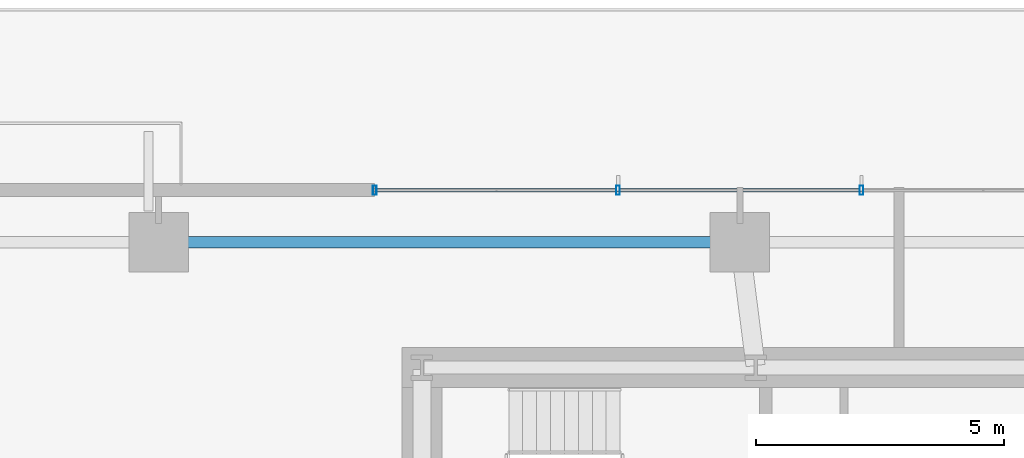
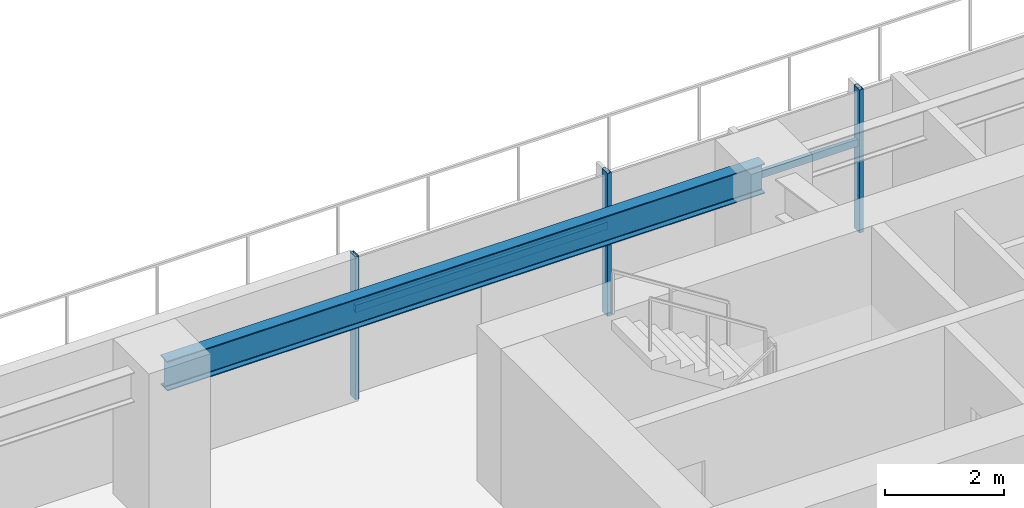
# One storey, part 10 of 26: 5 members, 1 beam, 1 element without a shape of its own.
"""IFC4 building model written with IfcOpenShell, lengths in metres."""

from ifc_helpers import new_model, si_unit, direction, frame, origin, origin_2d, place, context, subcontext, project, spatial, hollow_rectangle, i_section, extrude, source, transform, mapped, material, material_profile, profile_set, type_object, type_shapes, element, aggregate, save


model = new_model("IFC4")

# Units and contexts
model_context = context("Model", 3, precision=1e-05, world=origin(), true_north=direction((0.0, 1.0)))
body_context = subcontext(model_context, "Body", "Model", "MODEL_VIEW")
ifc_project = project(units=[si_unit("LENGTHUNIT", "METRE"), si_unit("AREAUNIT", "SQUARE_METRE"), si_unit("VOLUMEUNIT", "CUBIC_METRE"), si_unit("PLANEANGLEUNIT", "RADIAN"), si_unit("MASSUNIT", "GRAM", prefix="KILO")], contexts=[model_context])

# Site, building, storey
site_placement = place(None, origin())
site = spatial("IfcSite", under=ifc_project, at=site_placement, CompositionType="ELEMENT")
building_placement = place(site_placement, origin())
building = spatial("IfcBuilding", under=site, at=building_placement, Name="Astriad Promenade Condominiums", CompositionType="ELEMENT")
storey_placement = place(building_placement, frame((0.0, 0.0, 23.0)))
storey = spatial("IfcBuildingStorey", under=building, at=storey_placement, Name="L05", CompositionType="ELEMENT", Elevation=23.0)

# Beam
ifc_material_1 = material(Name="Steel ASTM A992 Grade 50", Category="steel")
ifc_material_profile_1 = material_profile(ifc_material_1, i_section(OverallWidth=0.22900390625, OverallDepth=0.612060546875, WebThickness=0.011962890625, FlangeThickness=0.01953125, FilletRadius=0.017822265625, at=origin_2d()), Name="W24X84")
ifc_profile_set_1 = profile_set([ifc_material_profile_1], Name="Steel ASTM A992 Grade 50")
beam_type = type_object("IfcBeamType", Name="STEEL SPANDREL BEAM W24X84", PredefinedType="SPANDREL", material=ifc_profile_set_1)
shared_shape_1 = source(origin(), body_context, "Body", "SweptSolid", [
    extrude(i_section(OverallWidth=0.22900390625, OverallDepth=0.612060546875, WebThickness=0.011962890625, FlangeThickness=0.01953125, FilletRadius=0.017822265625, at=origin_2d()), origin(), (0.0, 0.0, 1.0), 11.6201171875),
])
type_shapes(beam_type, [shared_shape_1])
beam_placement = place(storey_placement, frame((32.760009765625, 26.52001953125, 2.634033203125), z_axis=(-1.0, 0.0, 0.0), x_axis=(0.0, -1.0, 0.0)))
element("IfcBeam", 1, at=beam_placement, inside=storey, type_object=beam_type, Name="Perimeter Spandrel Beam SP-N2-L05", PredefinedType="SPANDREL", context=body_context, shape_type="MappedRepresentation", body=[
    mapped(shared_shape_1, transform((0.0, 0.0, 0.0), scale=1.0)),
])

# Curtain wall, members
ifc_material_2 = material(Name="Anodised aluminium Black Dark Glass Unitised", Category="aluminium")
curtain_wall_type = type_object("IfcCurtainWallType", Name="CW-B1-DARK", PredefinedType="USERDEFINED", material=ifc_material_2)
curtain_wall_placement = place(storey_placement, origin())
curtain_wall = element("IfcCurtainWall", 2, at=curtain_wall_placement, inside=storey, type_object=curtain_wall_type, Name="CW-L05-N", ObjectType="UNITISED_CURTAIN_WALL", PredefinedType="USERDEFINED")
ifc_material_3 = material(Name="Anodised aluminium 6063-T6 Black", Category="aluminium")
ifc_material_profile_2 = material_profile(ifc_material_3, hollow_rectangle(XDim=0.074951171875, YDim=0.18505859375, WallThickness=0.00439453125, at=origin_2d()), Name="ALU-MUL-75X185")
ifc_profile_set_2 = profile_set([ifc_material_profile_2], Name="Anodised aluminium 6063-T6 Black")
member_type_1 = type_object("IfcMemberType", Name="MUL-ALU-MUL-75X185", PredefinedType="MULLION", material=ifc_profile_set_2)
shared_shape_2 = source(origin(), body_context, "Body", "SweptSolid", [
    extrude(hollow_rectangle(XDim=0.074951171875, YDim=0.18505859375, WallThickness=0.00439453125, at=origin_2d()), origin(), (0.0, 0.0, 1.0), 2.93994140625),
])
type_shapes(member_type_1, [shared_shape_2])
member_1_placement = place(storey_placement, frame((25.449951171875, 27.570068359375, 0.0), z_axis=(0.0, 0.0, 1.0), x_axis=(1.0, 0.0, 0.0)))
member_1 = element("IfcMember", 3, at=member_1_placement, type_object=member_type_1, Name="CW-L05-N-MUL-00", PredefinedType="MULLION", context=body_context, shape_type="MappedRepresentation", body=[
    mapped(shared_shape_2, transform((0.0, 0.0, 0.0), scale=1.0)),
])
member_2_placement = place(storey_placement, frame((30.35009765625, 27.570068359375, 0.0), z_axis=(0.0, 0.0, 1.0), x_axis=(1.0, 0.0, 0.0)))
member_2 = element("IfcMember", 4, at=member_2_placement, type_object=member_type_1, Name="CW-L05-N-MUL-01", PredefinedType="MULLION", context=body_context, shape_type="MappedRepresentation", body=[
    mapped(shared_shape_2, transform((0.0, 0.0, 0.0), scale=1.0)),
])
member_3_placement = place(storey_placement, frame((35.25, 27.570068359375, 0.0), z_axis=(0.0, 0.0, 1.0), x_axis=(1.0, 0.0, 0.0)))
member_3 = element("IfcMember", 5, at=member_3_placement, type_object=member_type_1, Name="CW-L05-N-MUL-02", PredefinedType="MULLION", context=body_context, shape_type="MappedRepresentation", body=[
    mapped(shared_shape_2, transform((0.0, 0.0, 0.0), scale=1.0)),
])
ifc_material_profile_3 = material_profile(ifc_material_3, hollow_rectangle(XDim=0.074951171875, YDim=0.14990234375, WallThickness=0.004150390625, at=origin_2d()), Name="ALU-TRN-75X150")
ifc_profile_set_3 = profile_set([ifc_material_profile_3], Name="Anodised aluminium 6063-T6 Black")
member_type_2 = type_object("IfcMemberType", Name="TRN-ALU-TRN-75X150", PredefinedType="USERDEFINED", material=ifc_profile_set_3)
shared_shape_3 = source(origin(), body_context, "Body", "SweptSolid", [
    extrude(hollow_rectangle(XDim=0.074951171875, YDim=0.14990234375, WallThickness=0.004150390625, at=origin_2d()), origin(), (0.0, 0.0, 1.0), 4.900146484375),
])
member_4_placement = place(storey_placement, frame((25.449951171875, 27.570068359375, 1.82275390625), z_axis=(1.0, 0.0, 0.0), x_axis=(0.0, 1.0, 0.0)))
member_4 = element("IfcMember", 6, at=member_4_placement, type_object=member_type_2, Name="CW-L05-N-TRN-00-0", ObjectType="TRANSOM", PredefinedType="USERDEFINED", context=body_context, shape_type="MappedRepresentation", body=[
    mapped(shared_shape_3, transform((0.0, 0.0, 0.0), scale=1.0)),
])
shared_shape_4 = source(origin(), body_context, "Body", "SweptSolid", [
    extrude(hollow_rectangle(XDim=0.074951171875, YDim=0.14990234375, WallThickness=0.004150390625, at=origin_2d()), origin(), (0.0, 0.0, 1.0), 4.89990234375),
])
type_shapes(member_type_2, [shared_shape_3, shared_shape_4])
member_5_placement = place(storey_placement, frame((30.35009765625, 27.570068359375, 1.82275390625), z_axis=(1.0, 0.0, 0.0), x_axis=(0.0, 1.0, 0.0)))
member_5 = element("IfcMember", 7, at=member_5_placement, type_object=member_type_2, Name="CW-L05-N-TRN-01-0", ObjectType="TRANSOM", PredefinedType="USERDEFINED", context=body_context, shape_type="MappedRepresentation", body=[
    mapped(shared_shape_4, transform((0.0, 0.0, 0.0), scale=1.0)),
])
aggregate(curtain_wall, [member_1, member_2, member_3, member_4, member_5])

save(model, "model.ifc")
